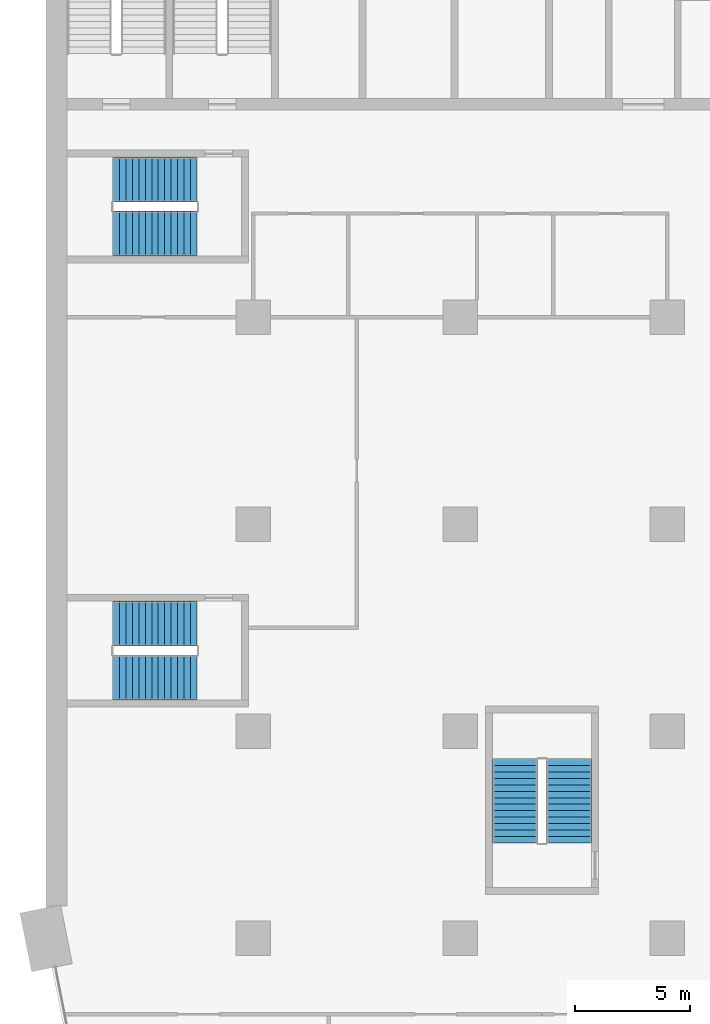
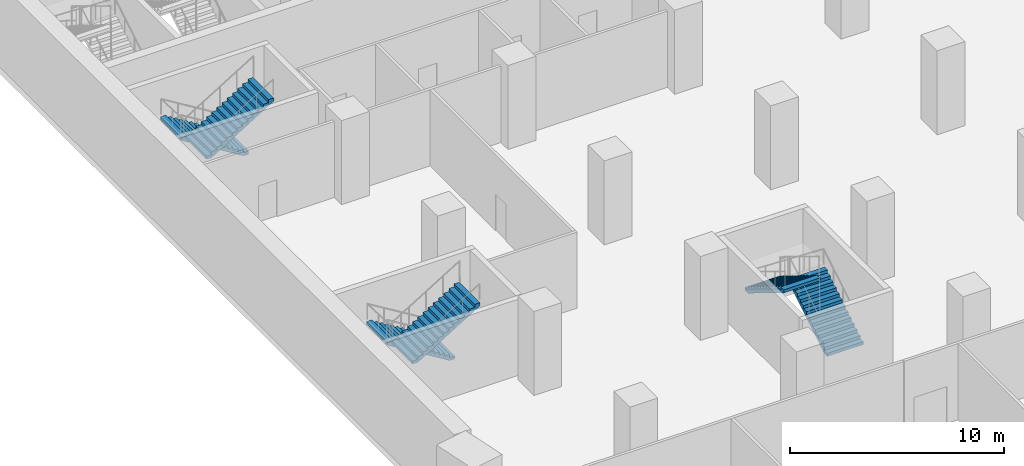
# One storey, part 20 of 32: 6 stair flights, 3 elements without a shape of their own.
"""IFC4 building model written with IfcOpenShell, lengths in metres."""

from ifc_helpers import new_model, si_unit, direction, frame, origin, place, context, subcontext, project, spatial, polyline, outline, extrude, material, type_object, element, aggregate, save


model = new_model("IFC4")

# Units and contexts
model_context = context("Model", 3, precision=1e-05, world=origin(), true_north=direction((0.0, 1.0)))
body_context = subcontext(model_context, "Body", "Model", "MODEL_VIEW")
ifc_project = project(units=[si_unit("LENGTHUNIT", "METRE"), si_unit("AREAUNIT", "SQUARE_METRE"), si_unit("VOLUMEUNIT", "CUBIC_METRE"), si_unit("PLANEANGLEUNIT", "RADIAN"), si_unit("MASSUNIT", "GRAM", prefix="KILO")], contexts=[model_context])

# Site, building, storey
site_placement = place(None, origin())
site = spatial("IfcSite", under=ifc_project, at=site_placement, CompositionType="ELEMENT")
building_placement = place(site_placement, origin())
building = spatial("IfcBuilding", under=site, at=building_placement, Name="Hunhe Ridgeline Campus", CompositionType="ELEMENT")
storey_placement = place(building_placement, frame((0.0, 0.0, 26.39990234375)))
storey = spatial("IfcBuildingStorey", under=building, at=storey_placement, Name="L05", CompositionType="ELEMENT", Elevation=26.39990234375)

# Stair, stair flights
ifc_material = material(Name="Concrete C40", Category="concrete")
stair_type = type_object("IfcStairType", Name="Reinforced concrete dog-leg stair 1950 Concrete C40", PredefinedType="HALF_TURN_STAIR", material=ifc_material)
stair_1_placement = place(storey_placement, origin())
stair_1 = element("IfcStair", 1, at=stair_1_placement, inside=storey, type_object=stair_type, Name="L05 W3", PredefinedType="HALF_TURN_STAIR")
stair_flight_type = type_object("IfcStairFlightType", Name="Reinforced concrete stair flight 1950 Concrete C40", PredefinedType="STRAIGHT", material=ifc_material)
stair_flight_1_placement = place(storey_placement, frame((22.72509765625, 31.14990234375, 0.0), z_axis=(0.0, 0.0, 1.0), x_axis=(0.0, 1.0, 0.0)))
stair_flight_1 = element("IfcStairFlight", 2, at=stair_flight_1_placement, type_object=stair_flight_type, Name="ST9 flight 1", NumberOfRisers=14, NumberOfTreads=13, PredefinedType="STRAIGHT", RiserHeight=0.171428571, TreadLength=0.28, context=body_context, shape_type="SweptSolid", body=[
    extrude(outline(polyline([(0.0, 0.0), (0.0, 0.17138671875), (0.280029296875, 0.17138671875), (0.280029296875, 0.3427734375), (0.56005859375, 0.3427734375), (0.56005859375, 0.514404296875), (0.840087890625, 0.514404296875), (0.840087890625, 0.685791015625), (1.1201171875, 0.685791015625), (1.1201171875, 0.857177734375), (1.39990234375, 0.857177734375), (1.39990234375, 1.028564453125), (1.679931640625, 1.028564453125), (1.679931640625, 1.199951171875), (1.9599609375, 1.199951171875), (1.9599609375, 1.371337890625), (2.239990234375, 1.371337890625), (2.239990234375, 1.54296875), (2.52001953125, 1.54296875), (2.52001953125, 1.71435546875), (2.800048828125, 1.71435546875), (2.800048828125, 1.8857421875), (3.080078125, 1.8857421875), (3.080078125, 2.05712890625), (3.360107421875, 2.05712890625), (3.360107421875, 2.228515625), (3.639892578125, 2.228515625), (3.639892578125, 2.39990234375), (3.639892578125, 2.052734375), (0.287109375, 0.0), (0.0, 0.0)])), frame((0.0, 0.97509765625, 0.0), z_axis=(0.0, -1.0, 0.0), x_axis=(1.0, 0.0, 0.0)), (0.0, 0.0, 1.0), 1.949951171875),
    extrude(outline(polyline([(0.030029296875, 0.030029296875), (0.030029296875, 0.141357421875), (0.31005859375, 0.141357421875), (0.31005859375, 0.31298828125), (0.590087890625, 0.31298828125), (0.590087890625, 0.484375), (0.8701171875, 0.484375), (0.8701171875, 0.65576171875), (1.14990234375, 0.65576171875), (1.14990234375, 0.8271484375), (1.429931640625, 0.8271484375), (1.429931640625, 0.99853515625), (1.7099609375, 0.99853515625), (1.7099609375, 1.169921875), (1.989990234375, 1.169921875), (1.989990234375, 1.34130859375), (2.27001953125, 1.34130859375), (2.27001953125, 1.512939453125), (2.550048828125, 1.512939453125), (2.550048828125, 1.684326171875), (2.830078125, 1.684326171875), (2.830078125, 1.855712890625), (3.110107421875, 1.855712890625), (3.110107421875, 2.027099609375), (3.389892578125, 2.027099609375), (3.389892578125, 2.198486328125), (3.610107421875, 2.198486328125), (3.610107421875, 2.069580078125), (0.278564453125, 0.030029296875), (0.030029296875, 0.030029296875)])), frame((0.0, -0.070068359375, 0.0), z_axis=(0.0, -1.0, 0.0), x_axis=(1.0, 0.0, 0.0)), (0.0, 0.0, 1.0), 0.019775390625),
    extrude(outline(polyline([(0.030029296875, 0.030029296875), (0.030029296875, 0.141357421875), (0.31005859375, 0.141357421875), (0.31005859375, 0.31298828125), (0.590087890625, 0.31298828125), (0.590087890625, 0.484375), (0.8701171875, 0.484375), (0.8701171875, 0.65576171875), (1.14990234375, 0.65576171875), (1.14990234375, 0.8271484375), (1.429931640625, 0.8271484375), (1.429931640625, 0.99853515625), (1.7099609375, 0.99853515625), (1.7099609375, 1.169921875), (1.989990234375, 1.169921875), (1.989990234375, 1.34130859375), (2.27001953125, 1.34130859375), (2.27001953125, 1.512939453125), (2.550048828125, 1.512939453125), (2.550048828125, 1.684326171875), (2.830078125, 1.684326171875), (2.830078125, 1.855712890625), (3.110107421875, 1.855712890625), (3.110107421875, 2.027099609375), (3.389892578125, 2.027099609375), (3.389892578125, 2.198486328125), (3.610107421875, 2.198486328125), (3.610107421875, 2.069580078125), (0.278564453125, 0.030029296875), (0.030029296875, 0.030029296875)])), frame((0.0, 0.010009765625, 0.0), z_axis=(0.0, -1.0, 0.0), x_axis=(1.0, 0.0, 0.0)), (0.0, 0.0, 1.0), 0.019775390625),
    extrude(outline(polyline([(0.030029296875, 0.030029296875), (0.030029296875, 0.141357421875), (0.31005859375, 0.141357421875), (0.31005859375, 0.31298828125), (0.590087890625, 0.31298828125), (0.590087890625, 0.484375), (0.8701171875, 0.484375), (0.8701171875, 0.65576171875), (1.14990234375, 0.65576171875), (1.14990234375, 0.8271484375), (1.429931640625, 0.8271484375), (1.429931640625, 0.99853515625), (1.7099609375, 0.99853515625), (1.7099609375, 1.169921875), (1.989990234375, 1.169921875), (1.989990234375, 1.34130859375), (2.27001953125, 1.34130859375), (2.27001953125, 1.512939453125), (2.550048828125, 1.512939453125), (2.550048828125, 1.684326171875), (2.830078125, 1.684326171875), (2.830078125, 1.855712890625), (3.110107421875, 1.855712890625), (3.110107421875, 2.027099609375), (3.389892578125, 2.027099609375), (3.389892578125, 2.198486328125), (3.610107421875, 2.198486328125), (3.610107421875, 2.069580078125), (0.278564453125, 0.030029296875), (0.030029296875, 0.030029296875)])), frame((0.0, 0.090087890625, 0.0), z_axis=(0.0, -1.0, 0.0), x_axis=(1.0, 0.0, 0.0)), (0.0, 0.0, 1.0), 0.019775390625),
])
stair_flight_2_placement = place(storey_placement, frame((20.375, 34.7900390625, 2.400146484375), z_axis=(0.0, 0.0, 1.0), x_axis=(0.0, -1.0, 0.0)))
stair_flight_2 = element("IfcStairFlight", 3, at=stair_flight_2_placement, type_object=stair_flight_type, Name="ST9 flight 2", NumberOfRisers=14, NumberOfTreads=13, PredefinedType="STRAIGHT", RiserHeight=0.171428571, TreadLength=0.28, context=body_context, shape_type="SweptSolid", body=[
    extrude(outline(polyline([(0.0, 0.0), (0.0, 0.17138671875), (0.280029296875, 0.17138671875), (0.280029296875, 0.3427734375), (0.56005859375, 0.3427734375), (0.56005859375, 0.514404296875), (0.840087890625, 0.514404296875), (0.840087890625, 0.685791015625), (1.1201171875, 0.685791015625), (1.1201171875, 0.857177734375), (1.39990234375, 0.857177734375), (1.39990234375, 1.028564453125), (1.679931640625, 1.028564453125), (1.679931640625, 1.199951171875), (1.9599609375, 1.199951171875), (1.9599609375, 1.371337890625), (2.239990234375, 1.371337890625), (2.239990234375, 1.54296875), (2.52001953125, 1.54296875), (2.52001953125, 1.71435546875), (2.800048828125, 1.71435546875), (2.800048828125, 1.8857421875), (3.080078125, 1.8857421875), (3.080078125, 2.05712890625), (3.360107421875, 2.05712890625), (3.360107421875, 2.228515625), (3.639892578125, 2.228515625), (3.639892578125, 2.39990234375), (3.639892578125, 2.052734375), (0.287109375, 0.0), (0.0, 0.0)])), frame((0.0, 0.97509765625, 0.0), z_axis=(0.0, -1.0, 0.0), x_axis=(1.0, 0.0, 0.0)), (0.0, 0.0, 1.0), 1.949951171875),
    extrude(outline(polyline([(0.030029296875, 0.030029296875), (0.030029296875, 0.141357421875), (0.31005859375, 0.141357421875), (0.31005859375, 0.31298828125), (0.590087890625, 0.31298828125), (0.590087890625, 0.484375), (0.8701171875, 0.484375), (0.8701171875, 0.65576171875), (1.14990234375, 0.65576171875), (1.14990234375, 0.8271484375), (1.429931640625, 0.8271484375), (1.429931640625, 0.99853515625), (1.7099609375, 0.99853515625), (1.7099609375, 1.169921875), (1.989990234375, 1.169921875), (1.989990234375, 1.34130859375), (2.27001953125, 1.34130859375), (2.27001953125, 1.512939453125), (2.550048828125, 1.512939453125), (2.550048828125, 1.684326171875), (2.830078125, 1.684326171875), (2.830078125, 1.855712890625), (3.110107421875, 1.855712890625), (3.110107421875, 2.027099609375), (3.389892578125, 2.027099609375), (3.389892578125, 2.198486328125), (3.610107421875, 2.198486328125), (3.610107421875, 2.069580078125), (0.278564453125, 0.030029296875), (0.030029296875, 0.030029296875)])), frame((0.0, -0.070068359375, 0.0), z_axis=(0.0, -1.0, 0.0), x_axis=(1.0, 0.0, 0.0)), (0.0, 0.0, 1.0), 0.019775390625),
    extrude(outline(polyline([(0.030029296875, 0.030029296875), (0.030029296875, 0.141357421875), (0.31005859375, 0.141357421875), (0.31005859375, 0.31298828125), (0.590087890625, 0.31298828125), (0.590087890625, 0.484375), (0.8701171875, 0.484375), (0.8701171875, 0.65576171875), (1.14990234375, 0.65576171875), (1.14990234375, 0.8271484375), (1.429931640625, 0.8271484375), (1.429931640625, 0.99853515625), (1.7099609375, 0.99853515625), (1.7099609375, 1.169921875), (1.989990234375, 1.169921875), (1.989990234375, 1.34130859375), (2.27001953125, 1.34130859375), (2.27001953125, 1.512939453125), (2.550048828125, 1.512939453125), (2.550048828125, 1.684326171875), (2.830078125, 1.684326171875), (2.830078125, 1.855712890625), (3.110107421875, 1.855712890625), (3.110107421875, 2.027099609375), (3.389892578125, 2.027099609375), (3.389892578125, 2.198486328125), (3.610107421875, 2.198486328125), (3.610107421875, 2.069580078125), (0.278564453125, 0.030029296875), (0.030029296875, 0.030029296875)])), frame((0.0, 0.010009765625, 0.0), z_axis=(0.0, -1.0, 0.0), x_axis=(1.0, 0.0, 0.0)), (0.0, 0.0, 1.0), 0.019775390625),
    extrude(outline(polyline([(0.030029296875, 0.030029296875), (0.030029296875, 0.141357421875), (0.31005859375, 0.141357421875), (0.31005859375, 0.31298828125), (0.590087890625, 0.31298828125), (0.590087890625, 0.484375), (0.8701171875, 0.484375), (0.8701171875, 0.65576171875), (1.14990234375, 0.65576171875), (1.14990234375, 0.8271484375), (1.429931640625, 0.8271484375), (1.429931640625, 0.99853515625), (1.7099609375, 0.99853515625), (1.7099609375, 1.169921875), (1.989990234375, 1.169921875), (1.989990234375, 1.34130859375), (2.27001953125, 1.34130859375), (2.27001953125, 1.512939453125), (2.550048828125, 1.512939453125), (2.550048828125, 1.684326171875), (2.830078125, 1.684326171875), (2.830078125, 1.855712890625), (3.110107421875, 1.855712890625), (3.110107421875, 2.027099609375), (3.389892578125, 2.027099609375), (3.389892578125, 2.198486328125), (3.610107421875, 2.198486328125), (3.610107421875, 2.069580078125), (0.278564453125, 0.030029296875), (0.030029296875, 0.030029296875)])), frame((0.0, 0.090087890625, 0.0), z_axis=(0.0, -1.0, 0.0), x_axis=(1.0, 0.0, 0.0)), (0.0, 0.0, 1.0), 0.019775390625),
])
aggregate(stair_1, [stair_flight_1, stair_flight_2])

stair_2_placement = place(storey_placement, origin())
stair_2 = element("IfcStair", 4, at=stair_2_placement, inside=storey, type_object=stair_type, Name="L05 W1", PredefinedType="HALF_TURN_STAIR")
stair_flight_3_placement = place(storey_placement, frame((6.550048828125, 40.675048828125, 0.0), z_axis=(0.0, 0.0, 1.0), x_axis=(-1.0, 0.0, 0.0)))
stair_flight_3 = element("IfcStairFlight", 5, at=stair_flight_3_placement, type_object=stair_flight_type, Name="ST11 flight 1", NumberOfRisers=14, NumberOfTreads=13, PredefinedType="STRAIGHT", RiserHeight=0.171428571, TreadLength=0.28, context=body_context, shape_type="SweptSolid", body=[
    extrude(outline(polyline([(0.0, 0.0), (0.0, 0.17138671875), (0.280029296875, 0.17138671875), (0.280029296875, 0.3427734375), (0.56005859375, 0.3427734375), (0.56005859375, 0.514404296875), (0.840087890625, 0.514404296875), (0.840087890625, 0.685791015625), (1.1201171875, 0.685791015625), (1.1201171875, 0.857177734375), (1.39990234375, 0.857177734375), (1.39990234375, 1.028564453125), (1.679931640625, 1.028564453125), (1.679931640625, 1.199951171875), (1.9599609375, 1.199951171875), (1.9599609375, 1.371337890625), (2.239990234375, 1.371337890625), (2.239990234375, 1.54296875), (2.52001953125, 1.54296875), (2.52001953125, 1.71435546875), (2.800048828125, 1.71435546875), (2.800048828125, 1.8857421875), (3.080078125, 1.8857421875), (3.080078125, 2.05712890625), (3.360107421875, 2.05712890625), (3.360107421875, 2.228515625), (3.639892578125, 2.228515625), (3.639892578125, 2.39990234375), (3.639892578125, 2.052734375), (0.287109375, 0.0), (0.0, 0.0)])), frame((0.0, 0.97509765625, 0.0), z_axis=(0.0, -1.0, 0.0), x_axis=(1.0, 0.0, 0.0)), (0.0, 0.0, 1.0), 1.949951171875),
    extrude(outline(polyline([(0.030029296875, 0.030029296875), (0.030029296875, 0.141357421875), (0.31005859375, 0.141357421875), (0.31005859375, 0.31298828125), (0.590087890625, 0.31298828125), (0.590087890625, 0.484375), (0.8701171875, 0.484375), (0.8701171875, 0.65576171875), (1.14990234375, 0.65576171875), (1.14990234375, 0.8271484375), (1.429931640625, 0.8271484375), (1.429931640625, 0.99853515625), (1.7099609375, 0.99853515625), (1.7099609375, 1.169921875), (1.989990234375, 1.169921875), (1.989990234375, 1.34130859375), (2.27001953125, 1.34130859375), (2.27001953125, 1.512939453125), (2.550048828125, 1.512939453125), (2.550048828125, 1.684326171875), (2.830078125, 1.684326171875), (2.830078125, 1.855712890625), (3.110107421875, 1.855712890625), (3.110107421875, 2.027099609375), (3.389892578125, 2.027099609375), (3.389892578125, 2.198486328125), (3.610107421875, 2.198486328125), (3.610107421875, 2.069580078125), (0.278564453125, 0.030029296875), (0.030029296875, 0.030029296875)])), frame((0.0, -0.070068359375, 0.0), z_axis=(0.0, -1.0, 0.0), x_axis=(1.0, 0.0, 0.0)), (0.0, 0.0, 1.0), 0.019775390625),
    extrude(outline(polyline([(0.030029296875, 0.030029296875), (0.030029296875, 0.141357421875), (0.31005859375, 0.141357421875), (0.31005859375, 0.31298828125), (0.590087890625, 0.31298828125), (0.590087890625, 0.484375), (0.8701171875, 0.484375), (0.8701171875, 0.65576171875), (1.14990234375, 0.65576171875), (1.14990234375, 0.8271484375), (1.429931640625, 0.8271484375), (1.429931640625, 0.99853515625), (1.7099609375, 0.99853515625), (1.7099609375, 1.169921875), (1.989990234375, 1.169921875), (1.989990234375, 1.34130859375), (2.27001953125, 1.34130859375), (2.27001953125, 1.512939453125), (2.550048828125, 1.512939453125), (2.550048828125, 1.684326171875), (2.830078125, 1.684326171875), (2.830078125, 1.855712890625), (3.110107421875, 1.855712890625), (3.110107421875, 2.027099609375), (3.389892578125, 2.027099609375), (3.389892578125, 2.198486328125), (3.610107421875, 2.198486328125), (3.610107421875, 2.069580078125), (0.278564453125, 0.030029296875), (0.030029296875, 0.030029296875)])), frame((0.0, 0.010009765625, 0.0), z_axis=(0.0, -1.0, 0.0), x_axis=(1.0, 0.0, 0.0)), (0.0, 0.0, 1.0), 0.019775390625),
    extrude(outline(polyline([(0.030029296875, 0.030029296875), (0.030029296875, 0.141357421875), (0.31005859375, 0.141357421875), (0.31005859375, 0.31298828125), (0.590087890625, 0.31298828125), (0.590087890625, 0.484375), (0.8701171875, 0.484375), (0.8701171875, 0.65576171875), (1.14990234375, 0.65576171875), (1.14990234375, 0.8271484375), (1.429931640625, 0.8271484375), (1.429931640625, 0.99853515625), (1.7099609375, 0.99853515625), (1.7099609375, 1.169921875), (1.989990234375, 1.169921875), (1.989990234375, 1.34130859375), (2.27001953125, 1.34130859375), (2.27001953125, 1.512939453125), (2.550048828125, 1.512939453125), (2.550048828125, 1.684326171875), (2.830078125, 1.684326171875), (2.830078125, 1.855712890625), (3.110107421875, 1.855712890625), (3.110107421875, 2.027099609375), (3.389892578125, 2.027099609375), (3.389892578125, 2.198486328125), (3.610107421875, 2.198486328125), (3.610107421875, 2.069580078125), (0.278564453125, 0.030029296875), (0.030029296875, 0.030029296875)])), frame((0.0, 0.090087890625, 0.0), z_axis=(0.0, -1.0, 0.0), x_axis=(1.0, 0.0, 0.0)), (0.0, 0.0, 1.0), 0.019775390625),
])
stair_flight_4_placement = place(storey_placement, frame((2.909912109375, 38.324951171875, 2.400146484375), z_axis=(0.0, 0.0, 1.0), x_axis=(1.0, 0.0, 0.0)))
stair_flight_4 = element("IfcStairFlight", 6, at=stair_flight_4_placement, type_object=stair_flight_type, Name="ST11 flight 2", NumberOfRisers=14, NumberOfTreads=13, PredefinedType="STRAIGHT", RiserHeight=0.171428571, TreadLength=0.28, context=body_context, shape_type="SweptSolid", body=[
    extrude(outline(polyline([(0.0, 0.0), (0.0, 0.17138671875), (0.280029296875, 0.17138671875), (0.280029296875, 0.3427734375), (0.56005859375, 0.3427734375), (0.56005859375, 0.514404296875), (0.840087890625, 0.514404296875), (0.840087890625, 0.685791015625), (1.1201171875, 0.685791015625), (1.1201171875, 0.857177734375), (1.39990234375, 0.857177734375), (1.39990234375, 1.028564453125), (1.679931640625, 1.028564453125), (1.679931640625, 1.199951171875), (1.9599609375, 1.199951171875), (1.9599609375, 1.371337890625), (2.239990234375, 1.371337890625), (2.239990234375, 1.54296875), (2.52001953125, 1.54296875), (2.52001953125, 1.71435546875), (2.800048828125, 1.71435546875), (2.800048828125, 1.8857421875), (3.080078125, 1.8857421875), (3.080078125, 2.05712890625), (3.360107421875, 2.05712890625), (3.360107421875, 2.228515625), (3.639892578125, 2.228515625), (3.639892578125, 2.39990234375), (3.639892578125, 2.052734375), (0.287109375, 0.0), (0.0, 0.0)])), frame((0.0, 0.97509765625, 0.0), z_axis=(0.0, -1.0, 0.0), x_axis=(1.0, 0.0, 0.0)), (0.0, 0.0, 1.0), 1.949951171875),
    extrude(outline(polyline([(0.030029296875, 0.030029296875), (0.030029296875, 0.141357421875), (0.31005859375, 0.141357421875), (0.31005859375, 0.31298828125), (0.590087890625, 0.31298828125), (0.590087890625, 0.484375), (0.8701171875, 0.484375), (0.8701171875, 0.65576171875), (1.14990234375, 0.65576171875), (1.14990234375, 0.8271484375), (1.429931640625, 0.8271484375), (1.429931640625, 0.99853515625), (1.7099609375, 0.99853515625), (1.7099609375, 1.169921875), (1.989990234375, 1.169921875), (1.989990234375, 1.34130859375), (2.27001953125, 1.34130859375), (2.27001953125, 1.512939453125), (2.550048828125, 1.512939453125), (2.550048828125, 1.684326171875), (2.830078125, 1.684326171875), (2.830078125, 1.855712890625), (3.110107421875, 1.855712890625), (3.110107421875, 2.027099609375), (3.389892578125, 2.027099609375), (3.389892578125, 2.198486328125), (3.610107421875, 2.198486328125), (3.610107421875, 2.069580078125), (0.278564453125, 0.030029296875), (0.030029296875, 0.030029296875)])), frame((0.0, -0.070068359375, 0.0), z_axis=(0.0, -1.0, 0.0), x_axis=(1.0, 0.0, 0.0)), (0.0, 0.0, 1.0), 0.019775390625),
    extrude(outline(polyline([(0.030029296875, 0.030029296875), (0.030029296875, 0.141357421875), (0.31005859375, 0.141357421875), (0.31005859375, 0.31298828125), (0.590087890625, 0.31298828125), (0.590087890625, 0.484375), (0.8701171875, 0.484375), (0.8701171875, 0.65576171875), (1.14990234375, 0.65576171875), (1.14990234375, 0.8271484375), (1.429931640625, 0.8271484375), (1.429931640625, 0.99853515625), (1.7099609375, 0.99853515625), (1.7099609375, 1.169921875), (1.989990234375, 1.169921875), (1.989990234375, 1.34130859375), (2.27001953125, 1.34130859375), (2.27001953125, 1.512939453125), (2.550048828125, 1.512939453125), (2.550048828125, 1.684326171875), (2.830078125, 1.684326171875), (2.830078125, 1.855712890625), (3.110107421875, 1.855712890625), (3.110107421875, 2.027099609375), (3.389892578125, 2.027099609375), (3.389892578125, 2.198486328125), (3.610107421875, 2.198486328125), (3.610107421875, 2.069580078125), (0.278564453125, 0.030029296875), (0.030029296875, 0.030029296875)])), frame((0.0, 0.010009765625, 0.0), z_axis=(0.0, -1.0, 0.0), x_axis=(1.0, 0.0, 0.0)), (0.0, 0.0, 1.0), 0.019775390625),
    extrude(outline(polyline([(0.030029296875, 0.030029296875), (0.030029296875, 0.141357421875), (0.31005859375, 0.141357421875), (0.31005859375, 0.31298828125), (0.590087890625, 0.31298828125), (0.590087890625, 0.484375), (0.8701171875, 0.484375), (0.8701171875, 0.65576171875), (1.14990234375, 0.65576171875), (1.14990234375, 0.8271484375), (1.429931640625, 0.8271484375), (1.429931640625, 0.99853515625), (1.7099609375, 0.99853515625), (1.7099609375, 1.169921875), (1.989990234375, 1.169921875), (1.989990234375, 1.34130859375), (2.27001953125, 1.34130859375), (2.27001953125, 1.512939453125), (2.550048828125, 1.512939453125), (2.550048828125, 1.684326171875), (2.830078125, 1.684326171875), (2.830078125, 1.855712890625), (3.110107421875, 1.855712890625), (3.110107421875, 2.027099609375), (3.389892578125, 2.027099609375), (3.389892578125, 2.198486328125), (3.610107421875, 2.198486328125), (3.610107421875, 2.069580078125), (0.278564453125, 0.030029296875), (0.030029296875, 0.030029296875)])), frame((0.0, 0.090087890625, 0.0), z_axis=(0.0, -1.0, 0.0), x_axis=(1.0, 0.0, 0.0)), (0.0, 0.0, 1.0), 0.019775390625),
])
aggregate(stair_2, [stair_flight_3, stair_flight_4])

stair_3_placement = place(storey_placement, origin())
stair_3 = element("IfcStair", 7, at=stair_3_placement, inside=storey, type_object=stair_type, Name="L05 W2", PredefinedType="HALF_TURN_STAIR")
stair_flight_5_placement = place(storey_placement, frame((6.550048828125, 59.97509765625, 0.0), z_axis=(0.0, 0.0, 1.0), x_axis=(-1.0, 0.0, 0.0)))
stair_flight_5 = element("IfcStairFlight", 8, at=stair_flight_5_placement, type_object=stair_flight_type, Name="ST12 flight 1", NumberOfRisers=14, NumberOfTreads=13, PredefinedType="STRAIGHT", RiserHeight=0.171428571, TreadLength=0.28, context=body_context, shape_type="SweptSolid", body=[
    extrude(outline(polyline([(0.0, 0.0), (0.0, 0.17138671875), (0.280029296875, 0.17138671875), (0.280029296875, 0.3427734375), (0.56005859375, 0.3427734375), (0.56005859375, 0.514404296875), (0.840087890625, 0.514404296875), (0.840087890625, 0.685791015625), (1.1201171875, 0.685791015625), (1.1201171875, 0.857177734375), (1.39990234375, 0.857177734375), (1.39990234375, 1.028564453125), (1.679931640625, 1.028564453125), (1.679931640625, 1.199951171875), (1.9599609375, 1.199951171875), (1.9599609375, 1.371337890625), (2.239990234375, 1.371337890625), (2.239990234375, 1.54296875), (2.52001953125, 1.54296875), (2.52001953125, 1.71435546875), (2.800048828125, 1.71435546875), (2.800048828125, 1.8857421875), (3.080078125, 1.8857421875), (3.080078125, 2.05712890625), (3.360107421875, 2.05712890625), (3.360107421875, 2.228515625), (3.639892578125, 2.228515625), (3.639892578125, 2.39990234375), (3.639892578125, 2.052734375), (0.287109375, 0.0), (0.0, 0.0)])), frame((0.0, 0.97509765625, 0.0), z_axis=(0.0, -1.0, 0.0), x_axis=(1.0, 0.0, 0.0)), (0.0, 0.0, 1.0), 1.949951171875),
    extrude(outline(polyline([(0.030029296875, 0.030029296875), (0.030029296875, 0.141357421875), (0.31005859375, 0.141357421875), (0.31005859375, 0.31298828125), (0.590087890625, 0.31298828125), (0.590087890625, 0.484375), (0.8701171875, 0.484375), (0.8701171875, 0.65576171875), (1.14990234375, 0.65576171875), (1.14990234375, 0.8271484375), (1.429931640625, 0.8271484375), (1.429931640625, 0.99853515625), (1.7099609375, 0.99853515625), (1.7099609375, 1.169921875), (1.989990234375, 1.169921875), (1.989990234375, 1.34130859375), (2.27001953125, 1.34130859375), (2.27001953125, 1.512939453125), (2.550048828125, 1.512939453125), (2.550048828125, 1.684326171875), (2.830078125, 1.684326171875), (2.830078125, 1.855712890625), (3.110107421875, 1.855712890625), (3.110107421875, 2.027099609375), (3.389892578125, 2.027099609375), (3.389892578125, 2.198486328125), (3.610107421875, 2.198486328125), (3.610107421875, 2.069580078125), (0.278564453125, 0.030029296875), (0.030029296875, 0.030029296875)])), frame((0.0, -0.070068359375, 0.0), z_axis=(0.0, -1.0, 0.0), x_axis=(1.0, 0.0, 0.0)), (0.0, 0.0, 1.0), 0.019775390625),
    extrude(outline(polyline([(0.030029296875, 0.030029296875), (0.030029296875, 0.141357421875), (0.31005859375, 0.141357421875), (0.31005859375, 0.31298828125), (0.590087890625, 0.31298828125), (0.590087890625, 0.484375), (0.8701171875, 0.484375), (0.8701171875, 0.65576171875), (1.14990234375, 0.65576171875), (1.14990234375, 0.8271484375), (1.429931640625, 0.8271484375), (1.429931640625, 0.99853515625), (1.7099609375, 0.99853515625), (1.7099609375, 1.169921875), (1.989990234375, 1.169921875), (1.989990234375, 1.34130859375), (2.27001953125, 1.34130859375), (2.27001953125, 1.512939453125), (2.550048828125, 1.512939453125), (2.550048828125, 1.684326171875), (2.830078125, 1.684326171875), (2.830078125, 1.855712890625), (3.110107421875, 1.855712890625), (3.110107421875, 2.027099609375), (3.389892578125, 2.027099609375), (3.389892578125, 2.198486328125), (3.610107421875, 2.198486328125), (3.610107421875, 2.069580078125), (0.278564453125, 0.030029296875), (0.030029296875, 0.030029296875)])), frame((0.0, 0.010009765625, 0.0), z_axis=(0.0, -1.0, 0.0), x_axis=(1.0, 0.0, 0.0)), (0.0, 0.0, 1.0), 0.019775390625),
    extrude(outline(polyline([(0.030029296875, 0.030029296875), (0.030029296875, 0.141357421875), (0.31005859375, 0.141357421875), (0.31005859375, 0.31298828125), (0.590087890625, 0.31298828125), (0.590087890625, 0.484375), (0.8701171875, 0.484375), (0.8701171875, 0.65576171875), (1.14990234375, 0.65576171875), (1.14990234375, 0.8271484375), (1.429931640625, 0.8271484375), (1.429931640625, 0.99853515625), (1.7099609375, 0.99853515625), (1.7099609375, 1.169921875), (1.989990234375, 1.169921875), (1.989990234375, 1.34130859375), (2.27001953125, 1.34130859375), (2.27001953125, 1.512939453125), (2.550048828125, 1.512939453125), (2.550048828125, 1.684326171875), (2.830078125, 1.684326171875), (2.830078125, 1.855712890625), (3.110107421875, 1.855712890625), (3.110107421875, 2.027099609375), (3.389892578125, 2.027099609375), (3.389892578125, 2.198486328125), (3.610107421875, 2.198486328125), (3.610107421875, 2.069580078125), (0.278564453125, 0.030029296875), (0.030029296875, 0.030029296875)])), frame((0.0, 0.090087890625, 0.0), z_axis=(0.0, -1.0, 0.0), x_axis=(1.0, 0.0, 0.0)), (0.0, 0.0, 1.0), 0.019775390625),
])
stair_flight_6_placement = place(storey_placement, frame((2.909912109375, 57.625, 2.400146484375), z_axis=(0.0, 0.0, 1.0), x_axis=(1.0, 0.0, 0.0)))
stair_flight_6 = element("IfcStairFlight", 9, at=stair_flight_6_placement, type_object=stair_flight_type, Name="ST12 flight 2", NumberOfRisers=14, NumberOfTreads=13, PredefinedType="STRAIGHT", RiserHeight=0.171428571, TreadLength=0.28, context=body_context, shape_type="SweptSolid", body=[
    extrude(outline(polyline([(0.0, 0.0), (0.0, 0.17138671875), (0.280029296875, 0.17138671875), (0.280029296875, 0.3427734375), (0.56005859375, 0.3427734375), (0.56005859375, 0.514404296875), (0.840087890625, 0.514404296875), (0.840087890625, 0.685791015625), (1.1201171875, 0.685791015625), (1.1201171875, 0.857177734375), (1.39990234375, 0.857177734375), (1.39990234375, 1.028564453125), (1.679931640625, 1.028564453125), (1.679931640625, 1.199951171875), (1.9599609375, 1.199951171875), (1.9599609375, 1.371337890625), (2.239990234375, 1.371337890625), (2.239990234375, 1.54296875), (2.52001953125, 1.54296875), (2.52001953125, 1.71435546875), (2.800048828125, 1.71435546875), (2.800048828125, 1.8857421875), (3.080078125, 1.8857421875), (3.080078125, 2.05712890625), (3.360107421875, 2.05712890625), (3.360107421875, 2.228515625), (3.639892578125, 2.228515625), (3.639892578125, 2.39990234375), (3.639892578125, 2.052734375), (0.287109375, 0.0), (0.0, 0.0)])), frame((0.0, 0.97509765625, 0.0), z_axis=(0.0, -1.0, 0.0), x_axis=(1.0, 0.0, 0.0)), (0.0, 0.0, 1.0), 1.949951171875),
    extrude(outline(polyline([(0.030029296875, 0.030029296875), (0.030029296875, 0.141357421875), (0.31005859375, 0.141357421875), (0.31005859375, 0.31298828125), (0.590087890625, 0.31298828125), (0.590087890625, 0.484375), (0.8701171875, 0.484375), (0.8701171875, 0.65576171875), (1.14990234375, 0.65576171875), (1.14990234375, 0.8271484375), (1.429931640625, 0.8271484375), (1.429931640625, 0.99853515625), (1.7099609375, 0.99853515625), (1.7099609375, 1.169921875), (1.989990234375, 1.169921875), (1.989990234375, 1.34130859375), (2.27001953125, 1.34130859375), (2.27001953125, 1.512939453125), (2.550048828125, 1.512939453125), (2.550048828125, 1.684326171875), (2.830078125, 1.684326171875), (2.830078125, 1.855712890625), (3.110107421875, 1.855712890625), (3.110107421875, 2.027099609375), (3.389892578125, 2.027099609375), (3.389892578125, 2.198486328125), (3.610107421875, 2.198486328125), (3.610107421875, 2.069580078125), (0.278564453125, 0.030029296875), (0.030029296875, 0.030029296875)])), frame((0.0, -0.070068359375, 0.0), z_axis=(0.0, -1.0, 0.0), x_axis=(1.0, 0.0, 0.0)), (0.0, 0.0, 1.0), 0.019775390625),
    extrude(outline(polyline([(0.030029296875, 0.030029296875), (0.030029296875, 0.141357421875), (0.31005859375, 0.141357421875), (0.31005859375, 0.31298828125), (0.590087890625, 0.31298828125), (0.590087890625, 0.484375), (0.8701171875, 0.484375), (0.8701171875, 0.65576171875), (1.14990234375, 0.65576171875), (1.14990234375, 0.8271484375), (1.429931640625, 0.8271484375), (1.429931640625, 0.99853515625), (1.7099609375, 0.99853515625), (1.7099609375, 1.169921875), (1.989990234375, 1.169921875), (1.989990234375, 1.34130859375), (2.27001953125, 1.34130859375), (2.27001953125, 1.512939453125), (2.550048828125, 1.512939453125), (2.550048828125, 1.684326171875), (2.830078125, 1.684326171875), (2.830078125, 1.855712890625), (3.110107421875, 1.855712890625), (3.110107421875, 2.027099609375), (3.389892578125, 2.027099609375), (3.389892578125, 2.198486328125), (3.610107421875, 2.198486328125), (3.610107421875, 2.069580078125), (0.278564453125, 0.030029296875), (0.030029296875, 0.030029296875)])), frame((0.0, 0.010009765625, 0.0), z_axis=(0.0, -1.0, 0.0), x_axis=(1.0, 0.0, 0.0)), (0.0, 0.0, 1.0), 0.019775390625),
    extrude(outline(polyline([(0.030029296875, 0.030029296875), (0.030029296875, 0.141357421875), (0.31005859375, 0.141357421875), (0.31005859375, 0.31298828125), (0.590087890625, 0.31298828125), (0.590087890625, 0.484375), (0.8701171875, 0.484375), (0.8701171875, 0.65576171875), (1.14990234375, 0.65576171875), (1.14990234375, 0.8271484375), (1.429931640625, 0.8271484375), (1.429931640625, 0.99853515625), (1.7099609375, 0.99853515625), (1.7099609375, 1.169921875), (1.989990234375, 1.169921875), (1.989990234375, 1.34130859375), (2.27001953125, 1.34130859375), (2.27001953125, 1.512939453125), (2.550048828125, 1.512939453125), (2.550048828125, 1.684326171875), (2.830078125, 1.684326171875), (2.830078125, 1.855712890625), (3.110107421875, 1.855712890625), (3.110107421875, 2.027099609375), (3.389892578125, 2.027099609375), (3.389892578125, 2.198486328125), (3.610107421875, 2.198486328125), (3.610107421875, 2.069580078125), (0.278564453125, 0.030029296875), (0.030029296875, 0.030029296875)])), frame((0.0, 0.090087890625, 0.0), z_axis=(0.0, -1.0, 0.0), x_axis=(1.0, 0.0, 0.0)), (0.0, 0.0, 1.0), 0.019775390625),
])
aggregate(stair_3, [stair_flight_5, stair_flight_6])

save(model, "model.ifc")
